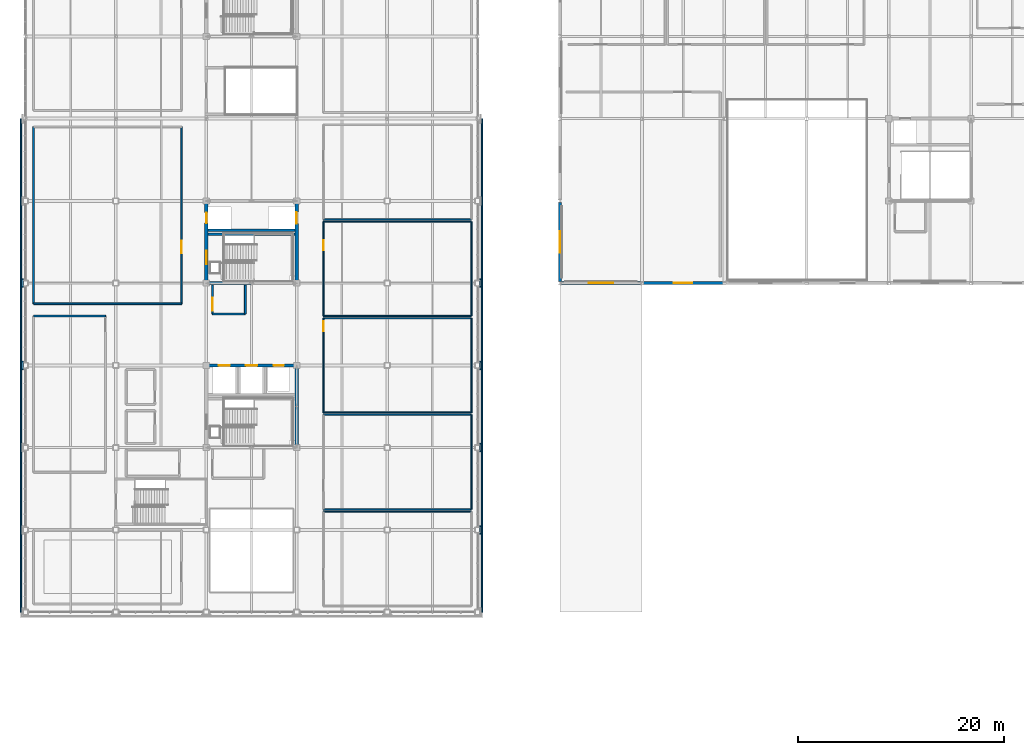
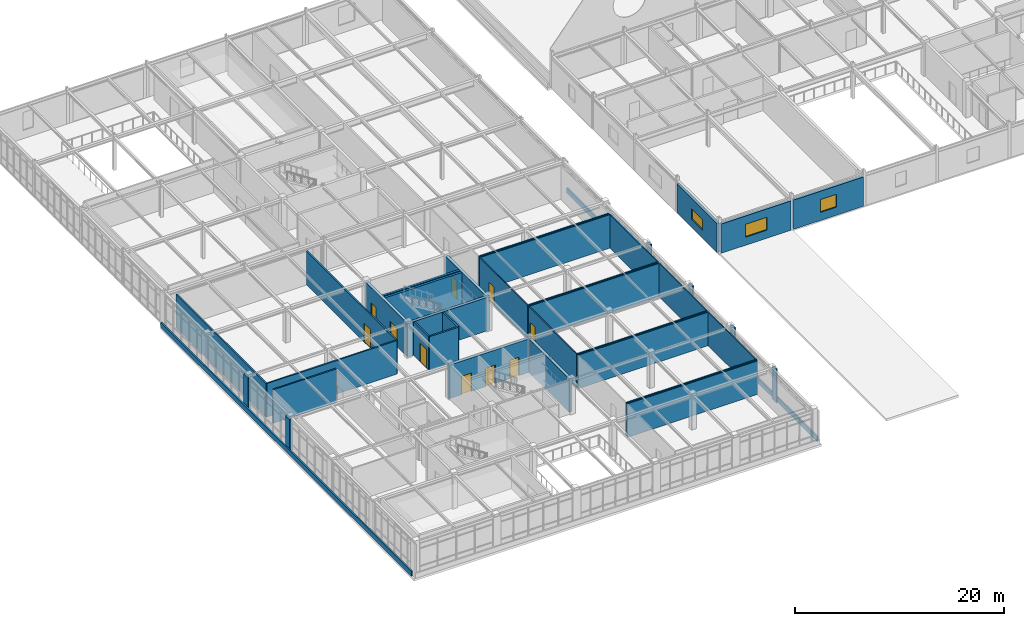
# One storey, part 76 of 88: 38 walls, 10 doors, 3 windows, 13 openings.
"""IFC4 building model written with IfcOpenShell, lengths in metres."""

from ifc_helpers import new_model, si_unit, direction, frame, frame_2d, origin, place, context, subcontext, project, spatial, rectangle, extrude, material, layer, layer_set, type_object, element, fill, save


model = new_model("IFC4")

# Units and contexts
model_context = context("Model", 3, precision=1e-05, world=origin(), true_north=direction((0.0, 1.0)))
body_context = subcontext(model_context, "Body", "Model", "MODEL_VIEW")
ifc_project = project(units=[si_unit("LENGTHUNIT", "METRE"), si_unit("AREAUNIT", "SQUARE_METRE"), si_unit("VOLUMEUNIT", "CUBIC_METRE"), si_unit("PLANEANGLEUNIT", "RADIAN"), si_unit("MASSUNIT", "GRAM", prefix="KILO")], contexts=[model_context])

# Site, building, storey
site_placement = place(None, origin())
site = spatial("IfcSite", under=ifc_project, at=site_placement, CompositionType="ELEMENT")
building_placement = place(site_placement, origin())
building = spatial("IfcBuilding", under=site, at=building_placement, Name="Zhaolan Boulevard Law Courts", CompositionType="ELEMENT")
storey_placement = place(building_placement, frame((0.0, 0.0, 16.199951171875)))
storey = spatial("IfcBuildingStorey", under=building, at=storey_placement, Name="L03", CompositionType="ELEMENT", Elevation=16.199951171875)

# Wall, openings, doors
ifc_material_1 = material(Name="Concrete C50", Category="concrete")
ifc_layer_1 = layer(ifc_material_1, 0.300048828125)
ifc_layer_set_1 = layer_set([ifc_layer_1])
wall_type_1 = type_object("IfcWallType", Name="CORE SHEAR WALL 300", PredefinedType="SHEAR", material=ifc_layer_set_1)
wall_1_placement = place(storey_placement, frame((26.550048828125, 54.0, 0.0), z_axis=(0.0, 0.0, 1.0), x_axis=(-1.0, 0.0, 0.0)))
wall_1 = element("IfcWall", 1, at=wall_1_placement, inside=storey, type_object=wall_type_1, Name="Core Shear Wall CW-W1-L03N", PredefinedType="SHEAR", context=body_context, shape_type="SweptSolid", body=[
    extrude(rectangle(XDim=9.10009765625, YDim=0.300048828125, at=frame_2d((4.550048828125, 0.0))), origin(), (0.0, 0.0, 1.0), 3.920166015625),
])
opening_1_placement = place(wall_1_placement, frame((6.64990234375, 0.0, 0.0)))
opening_1 = element("IfcOpeningElement", 2, at=opening_1_placement, cuts=wall_1, Name="Opening LD-FL-01-L03", PredefinedType="OPENING", context=body_context, shape_type="SweptSolid", body=[
    extrude(rectangle(XDim=1.10009765625, YDim=2.14990234375, at=frame_2d((0.550048828125, 1.074951171875))), frame((0.0, 0.159912109375, 0.0), z_axis=(0.0, -1.0, 0.0), x_axis=(1.0, 0.0, 0.0)), (0.0, 0.0, 1.0), 0.320068359375),
])
opening_2_placement = place(wall_1_placement, frame((4.0, 0.0, 0.0)))
opening_2 = element("IfcOpeningElement", 3, at=opening_2_placement, cuts=wall_1, Name="Opening LD-FL-02-L03", PredefinedType="OPENING", context=body_context, shape_type="SweptSolid", body=[
    extrude(rectangle(XDim=1.10009765625, YDim=2.14990234375, at=frame_2d((0.550048828125, 1.074951171875))), frame((0.0, 0.159912109375, 0.0), z_axis=(0.0, -1.0, 0.0), x_axis=(1.0, 0.0, 0.0)), (0.0, 0.0, 1.0), 0.320068359375),
])
opening_3_placement = place(wall_1_placement, frame((1.39990234375, 0.0, 0.0)))
opening_3 = element("IfcOpeningElement", 4, at=opening_3_placement, cuts=wall_1, Name="Opening LD-JL-01-L03", PredefinedType="OPENING", context=body_context, shape_type="SweptSolid", body=[
    extrude(rectangle(XDim=1.0, YDim=2.14990234375, at=frame_2d((0.5, 1.074951171875))), frame((0.0, 0.159912109375, 0.0), z_axis=(0.0, -1.0, 0.0), x_axis=(1.0, 0.0, 0.0)), (0.0, 0.0, 1.0), 0.320068359375),
])
ifc_material_2 = material(Name="Stainless steel sliding landing door", Category="steel")
door_type_1 = type_object("IfcDoorType", Name="LIFT LANDING 1000X2150", OperationType="DOUBLE_DOOR_SLIDING", PredefinedType="DOOR", material=ifc_material_2)
door_1_placement = place(opening_3_placement, origin())
door_1 = element("IfcDoor", 5, at=door_1_placement, inside=storey, type_object=door_type_1, Name="Lift Landing Sliding Door LD-JL-01-L03", OperationType="DOUBLE_DOOR_SLIDING", OverallHeight=2.14990234375, OverallWidth=1.0, PredefinedType="DOOR", context=body_context, shape_type="SweptSolid", body=[
    extrude(rectangle(XDim=1.0, YDim=2.14990234375, at=frame_2d((0.5, 1.074951171875))), frame((0.0, 0.02490234375, 0.0), z_axis=(0.0, -1.0, 0.0), x_axis=(1.0, 0.0, 0.0)), (0.0, 0.0, 1.0), 0.050048828125),
])
fill(opening_3, door_1)
ifc_material_3 = material(Name="Stainless steel sliding landing door", Category="steel")
door_type_2 = type_object("IfcDoorType", Name="LIFT LANDING 1100X2150", OperationType="DOUBLE_DOOR_SLIDING", PredefinedType="DOOR", material=ifc_material_3)
door_2_placement = place(opening_1_placement, origin())
door_2 = element("IfcDoor", 6, at=door_2_placement, inside=storey, type_object=door_type_2, Name="Lift Landing Sliding Door LD-FL-01-L03", OperationType="DOUBLE_DOOR_SLIDING", OverallHeight=2.14990234375, OverallWidth=1.10009765625, PredefinedType="DOOR", context=body_context, shape_type="SweptSolid", body=[
    extrude(rectangle(XDim=1.10009765625, YDim=2.14990234375, at=frame_2d((0.550048828125, 1.074951171875))), frame((0.0, 0.02490234375, 0.0), z_axis=(0.0, -1.0, 0.0), x_axis=(1.0, 0.0, 0.0)), (0.0, 0.0, 1.0), 0.050048828125),
])
fill(opening_1, door_2)
door_3_placement = place(opening_2_placement, origin())
door_3 = element("IfcDoor", 7, at=door_3_placement, inside=storey, type_object=door_type_2, Name="Lift Landing Sliding Door LD-FL-02-L03", OperationType="DOUBLE_DOOR_SLIDING", OverallHeight=2.14990234375, OverallWidth=1.10009765625, PredefinedType="DOOR", context=body_context, shape_type="SweptSolid", body=[
    extrude(rectangle(XDim=1.10009765625, YDim=2.14990234375, at=frame_2d((0.550048828125, 1.074951171875))), frame((0.0, 0.02490234375, 0.0), z_axis=(0.0, -1.0, 0.0), x_axis=(1.0, 0.0, 0.0)), (0.0, 0.0, 1.0), 0.050048828125),
])
fill(opening_2, door_3)

# Walls
wall_2_placement = place(storey_placement, frame((26.39990234375, 46.14990234375, 0.0), z_axis=(0.0, 0.0, 1.0), x_axis=(0.0, 1.0, 0.0)))
element("IfcWall", 8, at=wall_2_placement, inside=storey, type_object=wall_type_1, Name="Core Shear Wall CW-W1-L03E", PredefinedType="SHEAR", context=body_context, shape_type="SweptSolid", body=[
    extrude(rectangle(XDim=7.7001953125, YDim=0.300048828125, at=frame_2d((3.85009765625, 0.0))), origin(), (0.0, 0.0, 1.0), 3.920166015625),
])
wall_3_placement = place(storey_placement, frame((17.449951171875, 62.0, 0.0), z_axis=(0.0, 0.0, 1.0), x_axis=(1.0, 0.0, 0.0)))
element("IfcWall", 9, at=wall_3_placement, inside=storey, type_object=wall_type_1, Name="Core Shear Wall CW-W2-L03S", PredefinedType="SHEAR", context=body_context, shape_type="SweptSolid", body=[
    extrude(rectangle(XDim=9.10009765625, YDim=0.300048828125, at=frame_2d((4.550048828125, 0.0))), origin(), (0.0, 0.0, 1.0), 3.920166015625),
])

# Wall, openings, doors
wall_4_placement = place(storey_placement, frame((17.60009765625, 62.14990234375, 0.0), z_axis=(0.0, 0.0, 1.0), x_axis=(0.0, 1.0, 0.0)))
wall_4 = element("IfcWall", 10, at=wall_4_placement, inside=storey, type_object=wall_type_1, Name="Core Shear Wall CW-W2-L03W", PredefinedType="SHEAR", context=body_context, shape_type="SweptSolid", body=[
    extrude(rectangle(XDim=7.7001953125, YDim=0.300048828125, at=frame_2d((3.85009765625, 0.0))), origin(), (0.0, 0.0, 1.0), 3.920166015625),
])
opening_4_placement = place(wall_4_placement, frame((1.675048828125, 0.0, 0.0)))
opening_4 = element("IfcOpeningElement", 11, at=opening_4_placement, cuts=wall_4, Name="Opening SD-L03-16", PredefinedType="OPENING", context=body_context, shape_type="SweptSolid", body=[
    extrude(rectangle(XDim=1.35009765625, YDim=2.199951171875, at=frame_2d((0.675048828125, 1.10009765625))), frame((0.0, 0.159912109375, 0.0), z_axis=(0.0, -1.0, 0.0), x_axis=(1.0, 0.0, 0.0)), (0.0, 0.0, 1.0), 0.320068359375),
])
opening_5_placement = place(wall_4_placement, frame((5.699951171875, 0.0, 0.0)))
opening_5 = element("IfcOpeningElement", 12, at=opening_5_placement, cuts=wall_4, Name="Opening LD-JL-02-L03", PredefinedType="OPENING", context=body_context, shape_type="SweptSolid", body=[
    extrude(rectangle(XDim=1.0, YDim=2.14990234375, at=frame_2d((0.5, 1.074951171875))), frame((0.0, 0.159912109375, 0.0), z_axis=(0.0, -1.0, 0.0), x_axis=(1.0, 0.0, 0.0)), (0.0, 0.0, 1.0), 0.320068359375),
])
door_4_placement = place(opening_5_placement, origin())
door_4 = element("IfcDoor", 13, at=door_4_placement, inside=storey, type_object=door_type_1, Name="Lift Landing Sliding Door LD-JL-02-L03", OperationType="DOUBLE_DOOR_SLIDING", OverallHeight=2.14990234375, OverallWidth=1.0, PredefinedType="DOOR", context=body_context, shape_type="SweptSolid", body=[
    extrude(rectangle(XDim=1.0, YDim=2.14990234375, at=frame_2d((0.5, 1.074951171875))), frame((0.0, 0.02490234375, 0.0), z_axis=(0.0, -1.0, 0.0), x_axis=(1.0, 0.0, 0.0)), (0.0, 0.0, 1.0), 0.050048828125),
])
fill(opening_5, door_4)
ifc_material_4 = material(Name="Fire-rated steel acoustic door", Category="steel")
door_type_3 = type_object("IfcDoorType", Name="STAIR FIRE 1350X2200 R", OperationType="SINGLE_SWING_RIGHT", PredefinedType="DOOR", material=ifc_material_4)
door_5_placement = place(opening_4_placement, origin())
door_5 = element("IfcDoor", 14, at=door_5_placement, inside=storey, type_object=door_type_3, Name="Smoke-Proof Stairwell Fire Door SD-L03-16", OperationType="SINGLE_SWING_RIGHT", OverallHeight=2.199951171875, OverallWidth=1.35009765625, PredefinedType="DOOR", context=body_context, shape_type="SweptSolid", body=[
    extrude(rectangle(XDim=1.35009765625, YDim=2.199951171875, at=frame_2d((0.675048828125, 1.10009765625))), frame((0.0, 0.02490234375, 0.0), z_axis=(0.0, -1.0, 0.0), x_axis=(1.0, 0.0, 0.0)), (0.0, 0.0, 1.0), 0.050048828125),
])
fill(opening_4, door_5)

# Wall, opening, door
wall_5_placement = place(storey_placement, frame((26.39990234375, 62.14990234375, 0.0), z_axis=(0.0, 0.0, 1.0), x_axis=(0.0, 1.0, 0.0)))
wall_5 = element("IfcWall", 15, at=wall_5_placement, inside=storey, type_object=wall_type_1, Name="Core Shear Wall CW-W2-L03E", PredefinedType="SHEAR", context=body_context, shape_type="SweptSolid", body=[
    extrude(rectangle(XDim=7.7001953125, YDim=0.300048828125, at=frame_2d((3.85009765625, 0.0))), origin(), (0.0, 0.0, 1.0), 3.920166015625),
])
opening_6_placement = place(wall_5_placement, frame((5.64990234375, 0.0, 0.0)))
opening_6 = element("IfcOpeningElement", 16, at=opening_6_placement, cuts=wall_5, Name="Opening LD-FL-03-L03", PredefinedType="OPENING", context=body_context, shape_type="SweptSolid", body=[
    extrude(rectangle(XDim=1.10009765625, YDim=2.14990234375, at=frame_2d((0.550048828125, 1.074951171875))), frame((0.0, 0.159912109375, 0.0), z_axis=(0.0, -1.0, 0.0), x_axis=(1.0, 0.0, 0.0)), (0.0, 0.0, 1.0), 0.320068359375),
])
door_6_placement = place(opening_6_placement, origin())
door_6 = element("IfcDoor", 17, at=door_6_placement, inside=storey, type_object=door_type_2, Name="Lift Landing Sliding Door LD-FL-03-L03", OperationType="DOUBLE_DOOR_SLIDING", OverallHeight=2.14990234375, OverallWidth=1.10009765625, PredefinedType="DOOR", context=body_context, shape_type="SweptSolid", body=[
    extrude(rectangle(XDim=1.10009765625, YDim=2.14990234375, at=frame_2d((0.550048828125, 1.074951171875))), frame((0.0, 0.02490234375, 0.0), z_axis=(0.0, -1.0, 0.0), x_axis=(1.0, 0.0, 0.0)), (0.0, 0.0, 1.0), 0.050048828125),
])
fill(opening_6, door_6)

# Walls
ifc_material_5 = material(Name="Concrete C40", Category="concrete")
ifc_layer_2 = layer(ifc_material_5, 0.139892578125)
ifc_layer_set_2 = layer_set([ifc_layer_2])
wall_type_2 = type_object("IfcWallType", Name="EXT WALL ARCH CLAD140", PredefinedType="SOLIDWALL", material=ifc_layer_set_2)
for number, where, z_axis, x_axis, name in (
    (18, (44.280029296875, 37.580078125, 0.0), (0.0, 0.0, 1.0), (0.0, 1.0, 0.0), "Concrete Column Cloak Pier CPR-081"),
    (19, (44.280029296875, 45.580078125, 0.0), (0.0, 0.0, 1.0), (0.0, 1.0, 0.0), "Concrete Column Cloak Pier CPR-083"),
    (20, (-0.280029296875, 53.580078125, 0.0), (0.0, 0.0, 1.0), (0.0, 1.0, 0.0), "Concrete Column Cloak Pier CPR-084"),
    (21, (44.280029296875, 53.580078125, 0.0), (0.0, 0.0, 1.0), (0.0, 1.0, 0.0), "Concrete Column Cloak Pier CPR-085"),
    (22, (-0.280029296875, 61.580078125, 0.0), (0.0, 0.0, 1.0), (0.0, 1.0, 0.0), "Concrete Column Cloak Pier CPR-086"),
    (23, (44.280029296875, 61.580078125, 0.0), (0.0, 0.0, 1.0), (0.0, 1.0, 0.0), "Concrete Column Cloak Pier CPR-087"),
):
    element("IfcWall", number, at=place(storey_placement, frame(where, z_axis=z_axis, x_axis=x_axis)), inside=storey, type_object=wall_type_2, Name=name, PredefinedType="SOLIDWALL", context=body_context, shape_type="SweptSolid", body=[
        extrude(rectangle(XDim=0.83984375, YDim=0.139892578125, at=frame_2d((0.419921875, 0.0))), origin(), (0.0, 0.0, 1.0), 3.93994140625),
    ])
ifc_material_6 = material(Name="Concrete C40", Category="concrete")
ifc_layer_3 = layer(ifc_material_6, 0.159912109375)
ifc_layer_set_3 = layer_set([ifc_layer_3])
wall_type_3 = type_object("IfcWallType", Name="EXT WALL ARCH CLAD160", PredefinedType="SOLIDWALL", material=ifc_layer_set_3)
for number, where, z_axis, x_axis, name in (
    (24, (-0.43994140625, 78.0, 0.0), (0.0, 0.0, 1.0), (0.0, -1.0, 0.0), "Sculpted Concrete Spandrel Band CBW-075"),
    (25, (44.43994140625, 30.0, 0.0), (0.0, 0.0, 1.0), (0.0, 1.0, 0.0), "Sculpted Concrete Spandrel Band CBW-076"),
):
    element("IfcWall", number, at=place(storey_placement, frame(where, z_axis=z_axis, x_axis=x_axis)), inside=storey, type_object=wall_type_3, Name=name, PredefinedType="SOLIDWALL", context=body_context, shape_type="SweptSolid", body=[
        extrude(rectangle(XDim=48.0, YDim=0.159912109375, at=frame_2d((24.0, 0.0))), origin(), (0.0, 0.0, 1.0), 0.580078125),
    ])

# Wall, opening, window
ifc_material_7 = material(Name="Concrete C40", Category="concrete")
ifc_layer_4 = layer(ifc_material_7, 0.300048828125)
ifc_layer_set_4 = layer_set([ifc_layer_4])
wall_type_4 = type_object("IfcWallType", Name="EXT WALL CONCRETE300", PredefinedType="SOLIDWALL", material=ifc_layer_set_4)
wall_6_placement = place(storey_placement, frame((52.14599609375, 62.0, 0.0), z_axis=(0.0, 0.0, 1.0), x_axis=(1.0, 0.0, 0.0)))
wall_6 = element("IfcWall", 26, at=wall_6_placement, inside=storey, type_object=wall_type_4, Name="Exterior Wall EW-L03-270", PredefinedType="SOLIDWALL", context=body_context, shape_type="SweptSolid", body=[
    extrude(rectangle(XDim=7.7080078125, YDim=0.300048828125, at=frame_2d((3.85400390625, 0.0))), origin(), (0.0, 0.0, 1.0), 3.423095703125),
])
opening_7_placement = place(wall_6_placement, frame((2.654052734375, 0.0, 0.949951171875)))
opening_7 = element("IfcOpeningElement", 27, at=opening_7_placement, cuts=wall_6, Name="Opening WIN-L03-127", PredefinedType="OPENING", context=body_context, shape_type="SweptSolid", body=[
    extrude(rectangle(XDim=2.39990234375, YDim=1.5, at=frame_2d((1.199951171875, 0.75))), frame((0.0, 0.159912109375, 0.0), z_axis=(0.0, -1.0, 0.0), x_axis=(1.0, 0.0, 0.0)), (0.0, 0.0, 1.0), 0.320068359375),
])
ifc_material_8 = material(Name="Thermally broken aluminium and low-E glazing", Category="aluminium")
window_type_1 = type_object("IfcWindowType", Name="WINDOW 2400X1500", PartitioningType="DOUBLE_PANEL_VERTICAL", PredefinedType="WINDOW", material=ifc_material_8)
window_1_placement = place(opening_7_placement, origin())
window_1 = element("IfcWindow", 28, at=window_1_placement, inside=storey, type_object=window_type_1, Name="Exterior Window WIN-L03-127", OverallHeight=1.5, OverallWidth=2.39990234375, PartitioningType="SINGLE_PANEL", PredefinedType="WINDOW", context=body_context, shape_type="SweptSolid", body=[
    extrude(rectangle(XDim=2.39990234375, YDim=1.5, at=frame_2d((1.199951171875, 0.75))), frame((0.0, 0.030029296875, 0.0), z_axis=(0.0, -1.0, 0.0), x_axis=(1.0, 0.0, 0.0)), (0.0, 0.0, 1.0), 0.06005859375),
])
fill(opening_7, window_1)

wall_7_placement = place(storey_placement, frame((60.14599609375, 62.0, 0.0), z_axis=(0.0, 0.0, 1.0), x_axis=(1.0, 0.0, 0.0)))
wall_7 = element("IfcWall", 29, at=wall_7_placement, inside=storey, type_object=wall_type_4, Name="Exterior Wall EW-L03-271", PredefinedType="SOLIDWALL", context=body_context, shape_type="SweptSolid", body=[
    extrude(rectangle(XDim=7.7080078125, YDim=0.300048828125, at=frame_2d((3.85400390625, 0.0))), origin(), (0.0, 0.0, 1.0), 3.423095703125),
])
opening_8_placement = place(wall_7_placement, frame((2.9541015625, 0.0, 0.949951171875)))
opening_8 = element("IfcOpeningElement", 30, at=opening_8_placement, cuts=wall_7, Name="Opening WIN-L03-128", PredefinedType="OPENING", context=body_context, shape_type="SweptSolid", body=[
    extrude(rectangle(XDim=1.800048828125, YDim=1.5, at=frame_2d((0.89990234375, 0.75))), frame((0.0, 0.159912109375, 0.0), z_axis=(0.0, -1.0, 0.0), x_axis=(1.0, 0.0, 0.0)), (0.0, 0.0, 1.0), 0.320068359375),
])
ifc_material_9 = material(Name="Thermally broken aluminium and low-E glazing", Category="aluminium")
window_type_2 = type_object("IfcWindowType", Name="WINDOW 1800X1500", PartitioningType="DOUBLE_PANEL_VERTICAL", PredefinedType="WINDOW", material=ifc_material_9)
window_2_placement = place(opening_8_placement, origin())
window_2 = element("IfcWindow", 31, at=window_2_placement, inside=storey, type_object=window_type_2, Name="Exterior Window WIN-L03-128", OverallHeight=1.5, OverallWidth=1.800048828125, PartitioningType="SINGLE_PANEL", PredefinedType="WINDOW", context=body_context, shape_type="SweptSolid", body=[
    extrude(rectangle(XDim=1.800048828125, YDim=1.5, at=frame_2d((0.89990234375, 0.75))), frame((0.0, 0.030029296875, 0.0), z_axis=(0.0, -1.0, 0.0), x_axis=(1.0, 0.0, 0.0)), (0.0, 0.0, 1.0), 0.06005859375),
])
fill(opening_8, window_2)

wall_8_placement = place(storey_placement, frame((52.0, 69.85400390625, 0.0), z_axis=(0.0, 0.0, 1.0), x_axis=(0.0, -1.0, 0.0)))
wall_8 = element("IfcWall", 32, at=wall_8_placement, inside=storey, type_object=wall_type_4, Name="Exterior Wall EW-L03-298", PredefinedType="SOLIDWALL", context=body_context, shape_type="SweptSolid", body=[
    extrude(rectangle(XDim=7.7080078125, YDim=0.300048828125, at=frame_2d((3.85400390625, 0.0))), origin(), (0.0, 0.0, 1.0), 3.383056640625),
])
opening_9_placement = place(wall_8_placement, frame((2.803955078125, 0.0, 0.949951171875)))
opening_9 = element("IfcOpeningElement", 33, at=opening_9_placement, cuts=wall_8, Name="Opening WIN-L03-155", PredefinedType="OPENING", context=body_context, shape_type="SweptSolid", body=[
    extrude(rectangle(XDim=2.10009765625, YDim=1.199951171875, at=frame_2d((1.050048828125, 0.60009765625))), frame((0.0, 0.159912109375, 0.0), z_axis=(0.0, -1.0, 0.0), x_axis=(1.0, 0.0, 0.0)), (0.0, 0.0, 1.0), 0.320068359375),
])
ifc_material_10 = material(Name="Thermally broken aluminium and low-E glazing", Category="aluminium")
window_type_3 = type_object("IfcWindowType", Name="WINDOW 2100X1200", PartitioningType="DOUBLE_PANEL_VERTICAL", PredefinedType="WINDOW", material=ifc_material_10)
window_3_placement = place(opening_9_placement, origin())
window_3 = element("IfcWindow", 34, at=window_3_placement, inside=storey, type_object=window_type_3, Name="Exterior Window WIN-L03-155", OverallHeight=1.199951171875, OverallWidth=2.10009765625, PartitioningType="SINGLE_PANEL", PredefinedType="WINDOW", context=body_context, shape_type="SweptSolid", body=[
    extrude(rectangle(XDim=2.10009765625, YDim=1.199951171875, at=frame_2d((1.050048828125, 0.60009765625))), frame((0.0, 0.030029296875, 0.0), z_axis=(0.0, -1.0, 0.0), x_axis=(1.0, 0.0, 0.0)), (0.0, 0.0, 1.0), 0.06005859375),
])
fill(opening_9, window_3)

# Walls
ifc_material_11 = material(Name="Concrete C50", Category="concrete")
ifc_layer_5 = layer(ifc_material_11, 0.239990234375)
ifc_layer_set_5 = layer_set([ifc_layer_5])
wall_type_5 = type_object("IfcWallType", Name="LIFT SHAFT WALL 240", PredefinedType="SHEAR", material=ifc_layer_set_5)
wall_9_placement = place(storey_placement, frame((17.75, 67.1298828125, 0.0), z_axis=(0.0, 0.0, 1.0), x_axis=(1.0, 0.0, 0.0)))
element("IfcWall", 35, at=wall_9_placement, inside=storey, type_object=wall_type_5, Name="Lift Shaft Enclosure Wall W2 (L03)", PredefinedType="SHEAR", context=body_context, shape_type="SweptSolid", body=[
    extrude(rectangle(XDim=8.5, YDim=0.239990234375, at=frame_2d((4.25, 0.0))), origin(), (0.0, 0.0, 1.0), 3.920166015625),
])
ifc_material_12 = material(Name="Acoustic gypsum and mineral-wool stud")
ifc_layer_6 = layer(ifc_material_12, 0.18994140625)
ifc_layer_set_6 = layer_set([ifc_layer_6])
wall_type_6 = type_object("IfcWallType", Name="PART WALL ACOUST190", PredefinedType="PARTITIONING", material=ifc_layer_set_6)
wall_10_placement = place(storey_placement, frame((18.199951171875, 59.0, 0.0), z_axis=(0.0, 0.0, 1.0), x_axis=(1.0, 0.0, 0.0)))
element("IfcWall", 36, at=wall_10_placement, inside=storey, type_object=wall_type_6, Name="Interior Partition PW-L03-028", PredefinedType="PARTITIONING", context=body_context, shape_type="SweptSolid", body=[
    extrude(rectangle(XDim=3.199951171875, YDim=0.18994140625, at=frame_2d((1.60009765625, 0.0))), origin(), (0.0, 0.0, 1.0), 3.920166015625),
])

# Wall, opening, door
wall_11_placement = place(storey_placement, frame((18.199951171875, 61.800048828125, 0.0), z_axis=(0.0, 0.0, 1.0), x_axis=(0.0, -1.0, 0.0)))
wall_11 = element("IfcWall", 37, at=wall_11_placement, inside=storey, type_object=wall_type_6, Name="Interior Partition PW-L03-029", PredefinedType="PARTITIONING", context=body_context, shape_type="SweptSolid", body=[
    extrude(rectangle(XDim=2.800048828125, YDim=0.18994140625, at=frame_2d((1.39990234375, 0.0))), origin(), (0.0, 0.0, 1.0), 3.920166015625),
])
opening_10_placement = place(wall_11_placement, frame((1.199951171875, 0.0, 0.0)))
opening_10 = element("IfcOpeningElement", 38, at=opening_10_placement, cuts=wall_11, Name="Opening FD-L03-010", PredefinedType="OPENING", context=body_context, shape_type="SweptSolid", body=[
    extrude(rectangle(XDim=1.300048828125, YDim=2.199951171875, at=frame_2d((0.64990234375, 1.10009765625))), frame((0.0, 0.10498046875, 0.0), z_axis=(0.0, -1.0, 0.0), x_axis=(1.0, 0.0, 0.0)), (0.0, 0.0, 1.0), 0.2099609375),
])
ifc_material_13 = material(Name="Fire-rated steel acoustic door", Category="steel")
door_type_4 = type_object("IfcDoorType", Name="LOBBY FIRE 1300X2200 R", OperationType="SINGLE_SWING_RIGHT", PredefinedType="DOOR", material=ifc_material_13)
door_7_placement = place(opening_10_placement, origin())
door_7 = element("IfcDoor", 39, at=door_7_placement, inside=storey, type_object=door_type_4, Name="Door FD-L03-010 (Lobby Firefighting Lift L03-W2)", OperationType="SINGLE_SWING_RIGHT", OverallHeight=2.199951171875, OverallWidth=1.300048828125, PredefinedType="DOOR", context=body_context, shape_type="SweptSolid", body=[
    extrude(rectangle(XDim=1.300048828125, YDim=2.199951171875, at=frame_2d((0.64990234375, 1.10009765625))), frame((0.0, 0.02490234375, 0.0), z_axis=(0.0, -1.0, 0.0), x_axis=(1.0, 0.0, 0.0)), (0.0, 0.0, 1.0), 0.050048828125),
])
fill(opening_10, door_7)

# Walls
wall_12_placement = place(storey_placement, frame((21.39990234375, 59.0, 0.0), z_axis=(0.0, 0.0, 1.0), x_axis=(0.0, 1.0, 0.0)))
element("IfcWall", 40, at=wall_12_placement, inside=storey, type_object=wall_type_6, Name="Interior Partition PW-L03-030", PredefinedType="PARTITIONING", context=body_context, shape_type="SweptSolid", body=[
    extrude(rectangle(XDim=2.800048828125, YDim=0.18994140625, at=frame_2d((1.39990234375, 0.0))), origin(), (0.0, 0.0, 1.0), 3.920166015625),
])
ifc_material_14 = material(Name="Fire-rated gypsum stud partition")
ifc_layer_7 = layer(ifc_material_14, 0.159912109375)
ifc_layer_set_7 = layer_set([ifc_layer_7])
wall_type_7 = type_object("IfcWallType", Name="PART WALL CHAMB160", PredefinedType="PARTITIONING", material=ifc_layer_set_7)
wall_13_placement = place(storey_placement, frame((0.800048828125, 60.0, 0.0), z_axis=(0.0, 0.0, 1.0), x_axis=(1.0, 0.0, 0.0)))
element("IfcWall", 41, at=wall_13_placement, inside=storey, type_object=wall_type_7, Name="Interior Partition PW-L03-576", PredefinedType="PARTITIONING", context=body_context, shape_type="SweptSolid", body=[
    extrude(rectangle(XDim=14.39990234375, YDim=0.159912109375, at=frame_2d((7.199951171875, 0.0))), origin(), (0.0, 0.0, 1.0), 3.920166015625),
])
wall_14_placement = place(storey_placement, frame((0.800048828125, 77.199951171875, 0.0), z_axis=(0.0, 0.0, 1.0), x_axis=(0.0, -1.0, 0.0)))
element("IfcWall", 42, at=wall_14_placement, inside=storey, type_object=wall_type_7, Name="Interior Partition PW-L03-578", PredefinedType="PARTITIONING", context=body_context, shape_type="SweptSolid", body=[
    extrude(rectangle(XDim=17.199951171875, YDim=0.159912109375, at=frame_2d((8.60009765625, 0.0))), origin(), (0.0, 0.0, 1.0), 3.920166015625),
])

# Wall, opening, door
wall_15_placement = place(storey_placement, frame((15.199951171875, 60.0, 0.0), z_axis=(0.0, 0.0, 1.0), x_axis=(0.0, 1.0, 0.0)))
wall_15 = element("IfcWall", 43, at=wall_15_placement, inside=storey, type_object=wall_type_7, Name="Interior Partition PW-L03-579", PredefinedType="PARTITIONING", context=body_context, shape_type="SweptSolid", body=[
    extrude(rectangle(XDim=17.199951171875, YDim=0.159912109375, at=frame_2d((8.60009765625, 0.0))), origin(), (0.0, 0.0, 1.0), 3.920166015625),
])
opening_11_placement = place(wall_15_placement, frame((4.926025390625, 0.0, 0.0)))
opening_11 = element("IfcOpeningElement", 44, at=opening_11_placement, cuts=wall_15, Name="Opening MD-L03-180", PredefinedType="OPENING", context=body_context, shape_type="SweptSolid", body=[
    extrude(rectangle(XDim=1.179931640625, YDim=2.199951171875, at=frame_2d((0.58984375, 1.10009765625))), frame((0.0, 0.08984375, 0.0), z_axis=(0.0, -1.0, 0.0), x_axis=(1.0, 0.0, 0.0)), (0.0, 0.0, 1.0), 0.179931640625),
])
ifc_material_15 = material(Name="Solid-core acoustic oak veneer door")
door_type_5 = type_object("IfcDoorType", Name="MED DOOR 1180X2200 R", OperationType="SINGLE_SWING_RIGHT", PredefinedType="DOOR", material=ifc_material_15)
door_8_placement = place(opening_11_placement, origin())
door_8 = element("IfcDoor", 45, at=door_8_placement, inside=storey, type_object=door_type_5, Name="Door MD-L03-180 (Settlement Conference Room L03)", OperationType="SINGLE_SWING_RIGHT", OverallHeight=2.199951171875, OverallWidth=1.179931640625, PredefinedType="DOOR", context=body_context, shape_type="SweptSolid", body=[
    extrude(rectangle(XDim=1.179931640625, YDim=2.199951171875, at=frame_2d((0.58984375, 1.10009765625))), frame((0.0, 0.02490234375, 0.0), z_axis=(0.0, -1.0, 0.0), x_axis=(1.0, 0.0, 0.0)), (0.0, 0.0, 1.0), 0.050048828125),
])
fill(opening_11, door_8)

# Walls
wall_16_placement = place(storey_placement, frame((7.800048828125, 58.800048828125, 0.0), z_axis=(0.0, 0.0, 1.0), x_axis=(-1.0, 0.0, 0.0)))
element("IfcWall", 46, at=wall_16_placement, inside=storey, type_object=wall_type_7, Name="Interior Partition PW-L03-790", PredefinedType="PARTITIONING", context=body_context, shape_type="SweptSolid", body=[
    extrude(rectangle(XDim=7.0, YDim=0.159912109375, at=frame_2d((3.5, 0.0))), origin(), (0.0, 0.0, 1.0), 3.920166015625),
])
ifc_material_16 = material(Name="Gypsum board stud partition")
ifc_layer_8 = layer(ifc_material_16, 0.1201171875)
ifc_layer_set_8 = layer_set([ifc_layer_8])
wall_type_8 = type_object("IfcWallType", Name="PART WALL LIGHT120", PredefinedType="PARTITIONING", material=ifc_layer_set_8)
for number, where, z_axis, x_axis, name in (
    (47, (43.39990234375, 39.783935546875, 0.0), (0.0, 0.0, 1.0), (-1.0, 0.0, 0.0), "Interior Partition PW-L03-557"),
    (48, (29.0, 40.00390625, 0.0), (0.0, 0.0, 1.0), (1.0, 0.0, 0.0), "Interior Partition PW-L03-560"),
    (49, (43.39990234375, 49.18798828125, 0.0), (0.0, 0.0, 1.0), (-1.0, 0.0, 0.0), "Interior Partition PW-L03-561"),
):
    element("IfcWall", number, at=place(storey_placement, frame(where, z_axis=z_axis, x_axis=x_axis)), inside=storey, type_object=wall_type_8, Name=name, PredefinedType="PARTITIONING", context=body_context, shape_type="SweptSolid", body=[
        extrude(rectangle(XDim=14.39990234375, YDim=0.1201171875, at=frame_2d((7.199951171875, 0.0))), origin(), (0.0, 0.0, 1.0), 3.920166015625),
    ])
wall_17_placement = place(storey_placement, frame((43.39990234375, 40.00390625, 0.0), z_axis=(0.0, 0.0, 1.0), x_axis=(0.0, 1.0, 0.0)))
element("IfcWall", 50, at=wall_17_placement, inside=storey, type_object=wall_type_8, Name="Interior Partition PW-L03-563", PredefinedType="PARTITIONING", context=body_context, shape_type="SweptSolid", body=[
    extrude(rectangle(XDim=9.18408203125, YDim=0.1201171875, at=frame_2d((4.592041015625, 0.0))), origin(), (0.0, 0.0, 1.0), 3.920166015625),
])
for number, where, z_axis, x_axis, name in (
    (51, (29.0, 49.407958984375, 0.0), (0.0, 0.0, 1.0), (1.0, 0.0, 0.0), "Interior Partition PW-L03-564"),
    (52, (43.39990234375, 58.592041015625, 0.0), (0.0, 0.0, 1.0), (-1.0, 0.0, 0.0), "Interior Partition PW-L03-565"),
):
    element("IfcWall", number, at=place(storey_placement, frame(where, z_axis=z_axis, x_axis=x_axis)), inside=storey, type_object=wall_type_8, Name=name, PredefinedType="PARTITIONING", context=body_context, shape_type="SweptSolid", body=[
        extrude(rectangle(XDim=14.39990234375, YDim=0.1201171875, at=frame_2d((7.199951171875, 0.0))), origin(), (0.0, 0.0, 1.0), 3.920166015625),
    ])

# Wall, opening, door
wall_18_placement = place(storey_placement, frame((29.0, 58.592041015625, 0.0), z_axis=(0.0, 0.0, 1.0), x_axis=(0.0, -1.0, 0.0)))
wall_18 = element("IfcWall", 53, at=wall_18_placement, inside=storey, type_object=wall_type_8, Name="Interior Partition PW-L03-566", PredefinedType="PARTITIONING", context=body_context, shape_type="SweptSolid", body=[
    extrude(rectangle(XDim=9.18408203125, YDim=0.1201171875, at=frame_2d((4.592041015625, 0.0))), origin(), (0.0, 0.0, 1.0), 3.920166015625),
])
opening_12_placement = place(wall_18_placement, frame((0.300048828125, 0.0, 0.0)))
opening_12 = element("IfcOpeningElement", 54, at=opening_12_placement, cuts=wall_18, Name="Opening JD-L03-177", PredefinedType="OPENING", context=body_context, shape_type="SweptSolid", body=[
    extrude(rectangle(XDim=0.97998046875, YDim=2.199951171875, at=frame_2d((0.489990234375, 1.10009765625))), frame((0.0, 0.070068359375, 0.0), z_axis=(0.0, -1.0, 0.0), x_axis=(1.0, 0.0, 0.0)), (0.0, 0.0, 1.0), 0.14013671875),
])
ifc_material_17 = material(Name="Solid-core acoustic oak veneer door")
door_type_6 = type_object("IfcDoorType", Name="CHAMBER DOOR 980X2200 R", OperationType="SINGLE_SWING_RIGHT", PredefinedType="DOOR", material=ifc_material_17)
door_9_placement = place(opening_12_placement, origin())
door_9 = element("IfcDoor", 55, at=door_9_placement, inside=storey, type_object=door_type_6, Name="Door JD-L03-177 (Judges' Chambers L03-03)", OperationType="SINGLE_SWING_RIGHT", OverallHeight=2.199951171875, OverallWidth=0.97998046875, PredefinedType="DOOR", context=body_context, shape_type="SweptSolid", body=[
    extrude(rectangle(XDim=0.97998046875, YDim=2.199951171875, at=frame_2d((0.489990234375, 1.10009765625))), frame((0.0, 0.02490234375, 0.0), z_axis=(0.0, -1.0, 0.0), x_axis=(1.0, 0.0, 0.0)), (0.0, 0.0, 1.0), 0.050048828125),
])
fill(opening_12, door_9)

# Walls
wall_19_placement = place(storey_placement, frame((43.39990234375, 49.407958984375, 0.0), z_axis=(0.0, 0.0, 1.0), x_axis=(0.0, 1.0, 0.0)))
element("IfcWall", 56, at=wall_19_placement, inside=storey, type_object=wall_type_8, Name="Interior Partition PW-L03-567", PredefinedType="PARTITIONING", context=body_context, shape_type="SweptSolid", body=[
    extrude(rectangle(XDim=9.18408203125, YDim=0.1201171875, at=frame_2d((4.592041015625, 0.0))), origin(), (0.0, 0.0, 1.0), 3.920166015625),
])
for number, where, z_axis, x_axis, name in (
    (57, (29.0, 58.81201171875, 0.0), (0.0, 0.0, 1.0), (1.0, 0.0, 0.0), "Interior Partition PW-L03-568"),
    (58, (43.39990234375, 67.99609375, 0.0), (0.0, 0.0, 1.0), (-1.0, 0.0, 0.0), "Interior Partition PW-L03-569"),
):
    element("IfcWall", number, at=place(storey_placement, frame(where, z_axis=z_axis, x_axis=x_axis)), inside=storey, type_object=wall_type_8, Name=name, PredefinedType="PARTITIONING", context=body_context, shape_type="SweptSolid", body=[
        extrude(rectangle(XDim=14.39990234375, YDim=0.1201171875, at=frame_2d((7.199951171875, 0.0))), origin(), (0.0, 0.0, 1.0), 3.920166015625),
    ])

# Wall, opening, door
wall_20_placement = place(storey_placement, frame((29.0, 67.99609375, 0.0), z_axis=(0.0, 0.0, 1.0), x_axis=(0.0, -1.0, 0.0)))
wall_20 = element("IfcWall", 59, at=wall_20_placement, inside=storey, type_object=wall_type_8, Name="Interior Partition PW-L03-570", PredefinedType="PARTITIONING", context=body_context, shape_type="SweptSolid", body=[
    extrude(rectangle(XDim=9.18408203125, YDim=0.1201171875, at=frame_2d((4.592041015625, 0.0))), origin(), (0.0, 0.0, 1.0), 3.920166015625),
])
opening_13_placement = place(wall_20_placement, frame((1.81689453125, 0.0, 0.0)))
opening_13 = element("IfcOpeningElement", 60, at=opening_13_placement, cuts=wall_20, Name="Opening JD-L03-178", PredefinedType="OPENING", context=body_context, shape_type="SweptSolid", body=[
    extrude(rectangle(XDim=1.0, YDim=2.14990234375, at=frame_2d((0.5, 1.074951171875))), frame((0.0, 0.070068359375, 0.0), z_axis=(0.0, -1.0, 0.0), x_axis=(1.0, 0.0, 0.0)), (0.0, 0.0, 1.0), 0.14013671875),
])
ifc_material_18 = material(Name="Solid-core acoustic oak veneer door")
door_type_7 = type_object("IfcDoorType", Name="CHAMBER DOOR 1000X2150 L", OperationType="SINGLE_SWING_LEFT", PredefinedType="DOOR", material=ifc_material_18)
door_10_placement = place(opening_13_placement, origin())
door_10 = element("IfcDoor", 61, at=door_10_placement, inside=storey, type_object=door_type_7, Name="Door JD-L03-178 (Judges' Chambers L03-04)", OperationType="SINGLE_SWING_LEFT", OverallHeight=2.14990234375, OverallWidth=1.0, PredefinedType="DOOR", context=body_context, shape_type="SweptSolid", body=[
    extrude(rectangle(XDim=1.0, YDim=2.14990234375, at=frame_2d((0.5, 1.074951171875))), frame((0.0, 0.02490234375, 0.0), z_axis=(0.0, -1.0, 0.0), x_axis=(1.0, 0.0, 0.0)), (0.0, 0.0, 1.0), 0.050048828125),
])
fill(opening_13, door_10)

# Walls
wall_21_placement = place(storey_placement, frame((43.39990234375, 58.81201171875, 0.0), z_axis=(0.0, 0.0, 1.0), x_axis=(0.0, 1.0, 0.0)))
element("IfcWall", 62, at=wall_21_placement, inside=storey, type_object=wall_type_8, Name="Interior Partition PW-L03-571", PredefinedType="PARTITIONING", context=body_context, shape_type="SweptSolid", body=[
    extrude(rectangle(XDim=9.18408203125, YDim=0.1201171875, at=frame_2d((4.592041015625, 0.0))), origin(), (0.0, 0.0, 1.0), 3.920166015625),
])
wall_22_placement = place(storey_placement, frame((29.0, 68.216064453125, 0.0), z_axis=(0.0, 0.0, 1.0), x_axis=(1.0, 0.0, 0.0)))
element("IfcWall", 63, at=wall_22_placement, inside=storey, type_object=wall_type_8, Name="Interior Partition PW-L03-572", PredefinedType="PARTITIONING", context=body_context, shape_type="SweptSolid", body=[
    extrude(rectangle(XDim=14.39990234375, YDim=0.1201171875, at=frame_2d((7.199951171875, 0.0))), origin(), (0.0, 0.0, 1.0), 3.920166015625),
])
ifc_material_19 = material(Name="Concrete C50", Category="concrete")
ifc_layer_9 = layer(ifc_material_19, 0.239990234375)
ifc_layer_set_9 = layer_set([ifc_layer_9])
wall_type_9 = type_object("IfcWallType", Name="STAIR WELL WALL 240", PredefinedType="SHEAR", material=ifc_layer_set_9)
wall_23_placement = place(storey_placement, frame((17.75, 66.75, 0.0), z_axis=(0.0, 0.0, 1.0), x_axis=(1.0, 0.0, 0.0)))
element("IfcWall", 64, at=wall_23_placement, inside=storey, type_object=wall_type_9, Name="Stairwell Divider Shear Wall ST02-L03N", PredefinedType="SHEAR", context=body_context, shape_type="SweptSolid", body=[
    extrude(rectangle(XDim=8.5, YDim=0.239990234375, at=frame_2d((4.25, 0.0))), origin(), (0.0, 0.0, 1.0), 3.949951171875),
])

save(model, "model.ifc")
